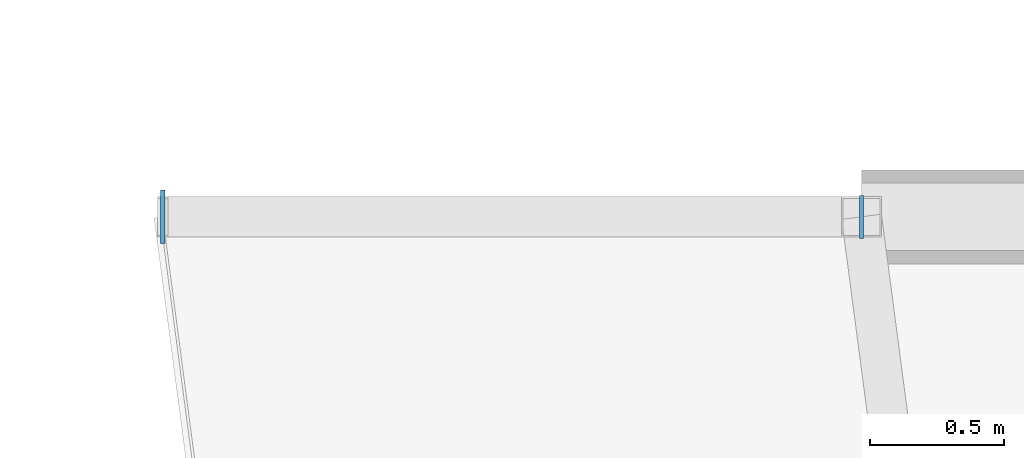
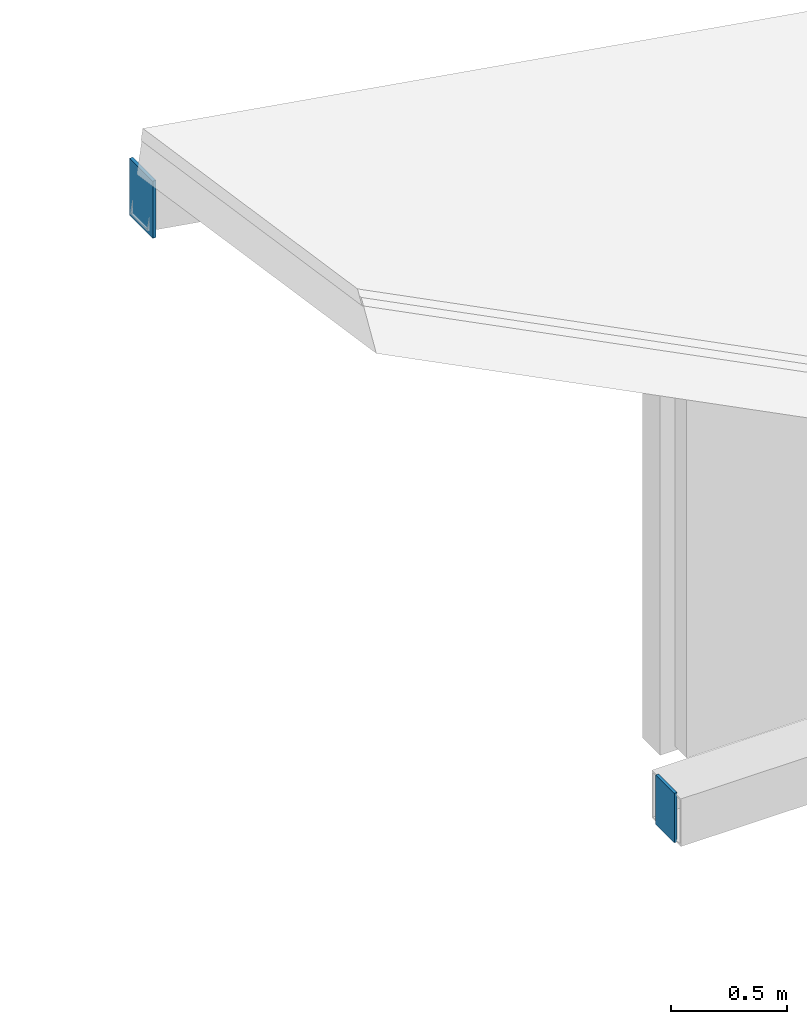
# One storey, part 42 of 70: 2 plates.
"""IFC4 building model written with IfcOpenShell, lengths in metres."""

from ifc_helpers import new_model, si_unit, direction, frame, origin, origin_2d, place, context, subcontext, project, spatial, rectangle, extrude, material, layer, layer_set, type_object, element, save


model = new_model("IFC4")

# Units and contexts
model_context = context("Model", 3, precision=1e-05, world=origin(), true_north=direction((0.0, 1.0)))
body_context = subcontext(model_context, "Body", "Model", "MODEL_VIEW")
ifc_project = project(units=[si_unit("LENGTHUNIT", "METRE"), si_unit("AREAUNIT", "SQUARE_METRE"), si_unit("VOLUMEUNIT", "CUBIC_METRE"), si_unit("PLANEANGLEUNIT", "RADIAN"), si_unit("MASSUNIT", "GRAM", prefix="KILO")], contexts=[model_context])

# Site, building, storey
site_placement = place(None, origin())
site = spatial("IfcSite", under=ifc_project, at=site_placement, CompositionType="ELEMENT")
building_placement = place(site_placement, origin())
building = spatial("IfcBuilding", under=site, at=building_placement, Name="Vondelvale Polytechnic", CompositionType="ELEMENT")
storey_placement = place(building_placement, frame((0.0, 0.0, 22.199951171875)))
storey = spatial("IfcBuildingStorey", under=building, at=storey_placement, Name="L05", CompositionType="ELEMENT", Elevation=22.199951171875)

# Plates
ifc_material = material(Name="Steel Grade 350 (fy = 340 MPa)", Category="steel")
ifc_layer_1 = layer(ifc_material, 0.01611328125)
ifc_layer_set_1 = layer_set([ifc_layer_1], Name="PLATE-CAP-300x200")
plate_type_1 = type_object("IfcPlateType", Name="PLATE-CAP-300x200", PredefinedType="USERDEFINED", material=ifc_layer_set_1)
plate_1_placement = place(storey_placement, frame((53.39990234375, 72.0, 3.61572265625), z_axis=(0.0, 0.0, 1.0), x_axis=(1.0, 0.0, 0.0)))
element("IfcPlate", 1, at=plate_1_placement, inside=storey, type_object=plate_type_1, Name="Ring rafter hollow end cap plate 12O", ObjectType="CAP_PLATE", PredefinedType="USERDEFINED", context=body_context, shape_type="SweptSolid", body=[
    extrude(rectangle(XDim=0.01611328125, YDim=0.199951171875, at=origin_2d()), origin(), (0.0, 0.0, 1.0), 0.300048828125),
])
ifc_layer_2 = layer(ifc_material, 0.013916015625)
ifc_layer_set_2 = layer_set([ifc_layer_2], Name="PLATE-CAP-C03")
plate_type_2 = type_object("IfcPlateType", Name="PLATE-CAP-C03", PredefinedType="USERDEFINED", material=ifc_layer_set_2)
plate_2_placement = place(storey_placement, frame((56.0, 72.0, -0.47998046875), z_axis=(0.0, 0.0, 1.0), x_axis=(1.0, 0.0, 0.0)))
element("IfcPlate", 2, at=plate_2_placement, inside=storey, type_object=plate_type_2, Name="Ring workshop truss chord end cap 12O", ObjectType="CAP_PLATE", PredefinedType="USERDEFINED", context=body_context, shape_type="SweptSolid", body=[
    extrude(rectangle(XDim=0.013916015625, YDim=0.159912109375, at=origin_2d()), origin(), (0.0, 0.0, 1.0), 0.260009765625),
])

save(model, "model.ifc")
